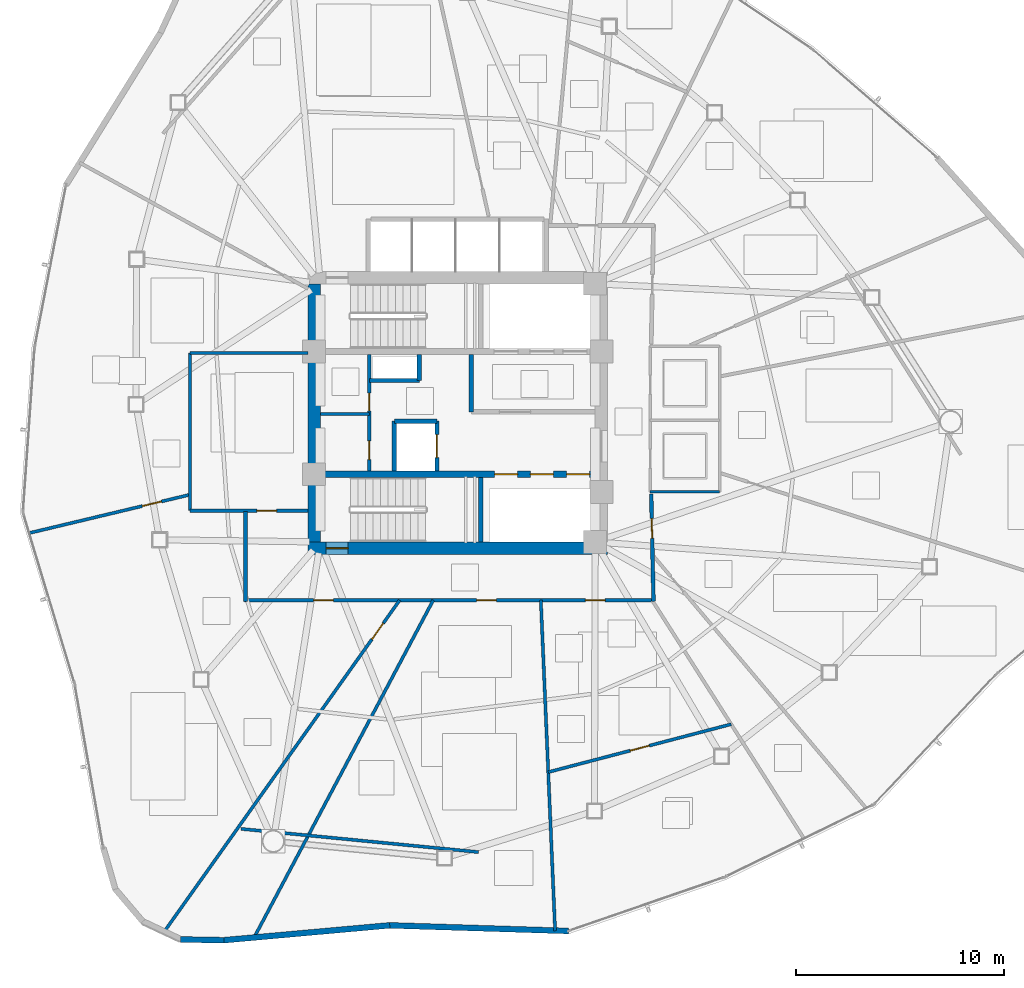
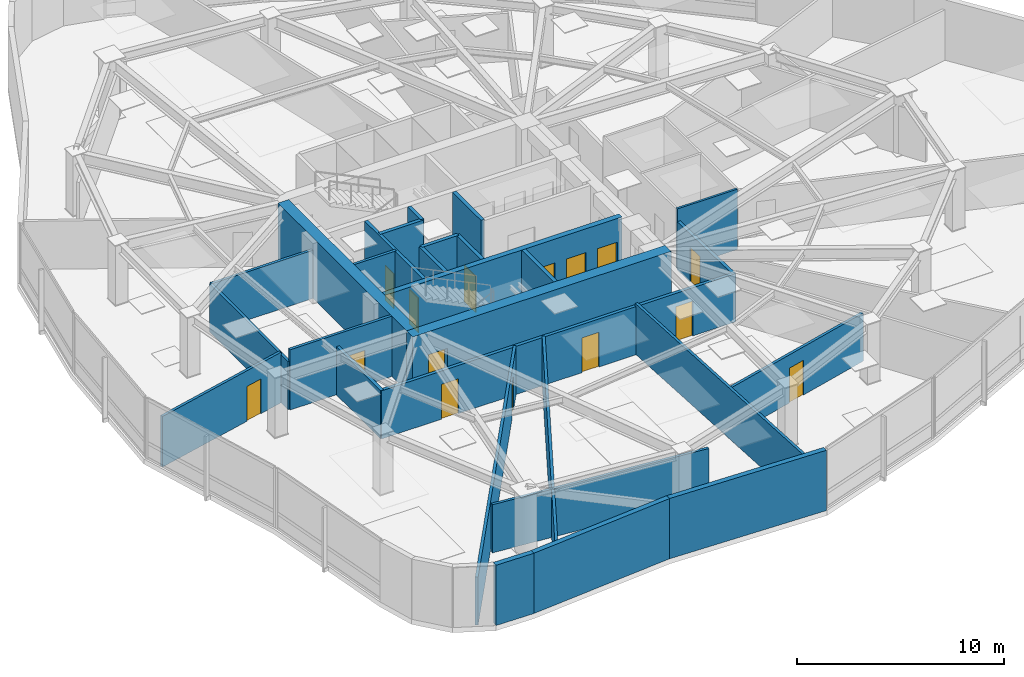
# One storey, part 11 of 17: 28 walls, 15 doors, 15 openings.
"""IFC4 building model written with IfcOpenShell, lengths in metres."""

from ifc_helpers import new_model, si_unit, direction, frame, frame_2d, origin, place, context, subcontext, project, spatial, rectangle, extrude, material, layer, layer_set, type_object, element, fill, save


model = new_model("IFC4")

# Units and contexts
model_context = context("Model", 3, precision=1e-05, world=origin(), true_north=direction((0.0, 1.0)))
body_context = subcontext(model_context, "Body", "Model", "MODEL_VIEW")
ifc_project = project(units=[si_unit("LENGTHUNIT", "METRE"), si_unit("AREAUNIT", "SQUARE_METRE"), si_unit("VOLUMEUNIT", "CUBIC_METRE"), si_unit("PLANEANGLEUNIT", "RADIAN"), si_unit("MASSUNIT", "GRAM", prefix="KILO")], contexts=[model_context])

# Site, building, storey
site_placement = place(None, origin())
site = spatial("IfcSite", under=ifc_project, at=site_placement, CompositionType="ELEMENT")
building_placement = place(site_placement, origin())
building = spatial("IfcBuilding", under=site, at=building_placement, Name="Tavelor Broadcast Tower", CompositionType="ELEMENT")
storey_placement = place(building_placement, frame((0.0, 0.0, 127.14990234375)))
storey = spatial("IfcBuildingStorey", under=building, at=storey_placement, Name="L29", CompositionType="ELEMENT", Elevation=127.14990234375)

# Wall, opening, door
ifc_material_1 = material(Name="Concrete C60/75", Category="concrete")
ifc_layer_1 = layer(ifc_material_1, 0.60009765625)
ifc_layer_set_1 = layer_set([ifc_layer_1], Name="Concrete C60/75")
wall_type_1 = type_object("IfcWallType", Name="Core Shear Wall 600 mm", PredefinedType="SHEAR", material=ifc_layer_set_1)
wall_1_placement = place(storey_placement, frame((42.800048828125, 38.5, 0.0), z_axis=(0.0, 0.0, 1.0), x_axis=(1.0, 0.0, 0.0)))
wall_1 = element("IfcWall", 1, at=wall_1_placement, inside=storey, type_object=wall_type_1, Name="L29 Central Core Shear Wall S", PredefinedType="SHEAR", context=body_context, shape_type="SweptSolid", body=[
    extrude(rectangle(XDim=14.39990234375, YDim=0.60009765625, at=frame_2d((7.199951171875, 0.0))), origin(), (0.0, 0.0, 1.0), 3.550048828125),
])
opening_1_placement = place(wall_1_placement, frame((0.8798828125, 0.0, 0.0)))
opening_1 = element("IfcOpeningElement", 2, at=opening_1_placement, cuts=wall_1, Name="Opening DR11", PredefinedType="OPENING", context=body_context, shape_type="SweptSolid", body=[
    extrude(rectangle(XDim=1.050048828125, YDim=2.199951171875, at=frame_2d((0.52490234375, 1.10009765625))), frame((0.0, 0.31005859375, 0.0), z_axis=(0.0, -1.0, 0.0), x_axis=(1.0, 0.0, 0.0)), (0.0, 0.0, 1.0), 0.6201171875),
])
ifc_material_2 = material(Name="Steel S355", Category="steel")
door_type_1 = type_object("IfcDoorType", Name="Stair Core Fire Escape Door 1050x2200", OperationType="NOTDEFINED", PredefinedType="DOOR", material=ifc_material_2)
door_1_placement = place(opening_1_placement, origin())
door_1 = element("IfcDoor", 3, at=door_1_placement, inside=storey, type_object=door_type_1, Name="L29 Stair ST2 Protected Exit Door", OperationType="SINGLE_SWING_RIGHT", OverallHeight=2.199951171875, OverallWidth=1.050048828125, PredefinedType="DOOR", context=body_context, shape_type="SweptSolid", body=[
    extrude(rectangle(XDim=1.050048828125, YDim=2.199951171875, at=frame_2d((0.52490234375, 1.10009765625))), frame((0.0, 0.02490234375, 0.0), z_axis=(0.0, -1.0, 0.0), x_axis=(1.0, 0.0, 0.0)), (0.0, 0.0, 1.0), 0.050048828125),
])
fill(opening_1, door_1)

# Wall
wall_2_placement = place(storey_placement, frame((43.10009765625, 38.800048828125, 0.0), z_axis=(0.0, 0.0, 1.0), x_axis=(0.0, 1.0, 0.0)))
element("IfcWall", 4, at=wall_2_placement, inside=storey, type_object=wall_type_1, Name="L29 Central Core Shear Wall W", PredefinedType="SHEAR", context=body_context, shape_type="SweptSolid", body=[
    extrude(rectangle(XDim=12.39990234375, YDim=0.60009765625, at=frame_2d((6.199951171875, 0.0))), origin(), (0.0, 0.0, 1.0), 3.550048828125),
])

# Wall, openings, doors
ifc_layer_2 = layer(ifc_material_1, 0.300048828125)
ifc_layer_set_2 = layer_set([ifc_layer_2], Name="Concrete C60/75")
wall_type_2 = type_object("IfcWallType", Name="Core Spine Shear Wall 300 mm C60", PredefinedType="SHEAR", material=ifc_layer_set_2)
wall_3_placement = place(storey_placement, frame((43.39990234375, 42.050048828125, 0.0), z_axis=(0.0, 0.0, 1.0), x_axis=(1.0, 0.0, 0.0)))
wall_3 = element("IfcWall", 5, at=wall_3_placement, inside=storey, type_object=wall_type_2, Name="L29 Central Core Shear Wall SP2", PredefinedType="SHEAR", context=body_context, shape_type="SweptSolid", body=[
    extrude(rectangle(XDim=13.2001953125, YDim=0.300048828125, at=frame_2d((6.60009765625, 0.0))), origin(), (0.0, 0.0, 1.0), 3.550048828125),
])
opening_2_placement = place(wall_3_placement, frame((8.3701171875, 0.0, 0.0)))
opening_2 = element("IfcOpeningElement", 6, at=opening_2_placement, cuts=wall_3, Name="Opening LD01", PredefinedType="OPENING", context=body_context, shape_type="SweptSolid", body=[
    extrude(rectangle(XDim=1.10009765625, YDim=2.14990234375, at=frame_2d((0.550048828125, 1.074951171875))), frame((0.0, 0.16015625, 0.0), z_axis=(0.0, -1.0, 0.0), x_axis=(1.0, 0.0, 0.0)), (0.0, 0.0, 1.0), 0.320068359375),
])
opening_3_placement = place(wall_3_placement, frame((10.090087890625, 0.0, 0.0)))
opening_3 = element("IfcOpeningElement", 7, at=opening_3_placement, cuts=wall_3, Name="Opening LD01", PredefinedType="OPENING", context=body_context, shape_type="SweptSolid", body=[
    extrude(rectangle(XDim=1.10009765625, YDim=2.14990234375, at=frame_2d((0.550048828125, 1.074951171875))), frame((0.0, 0.16015625, 0.0), z_axis=(0.0, -1.0, 0.0), x_axis=(1.0, 0.0, 0.0)), (0.0, 0.0, 1.0), 0.320068359375),
])
opening_4_placement = place(wall_3_placement, frame((11.830078125, 0.0, 0.0)))
opening_4 = element("IfcOpeningElement", 8, at=opening_4_placement, cuts=wall_3, Name="Opening LD01", PredefinedType="OPENING", context=body_context, shape_type="SweptSolid", body=[
    extrude(rectangle(XDim=1.10009765625, YDim=2.14990234375, at=frame_2d((0.550048828125, 1.074951171875))), frame((0.0, 0.16015625, 0.0), z_axis=(0.0, -1.0, 0.0), x_axis=(1.0, 0.0, 0.0)), (0.0, 0.0, 1.0), 0.320068359375),
])
ifc_material_3 = material(Name="Brushed Stainless Steel", Category="steel")
door_type_2 = type_object("IfcDoorType", Name="Passenger Lift Sliding Landing Door 1100x2150", OperationType="NOTDEFINED", PredefinedType="DOOR", material=ifc_material_3)
door_2_placement = place(opening_2_placement, origin())
door_2 = element("IfcDoor", 9, at=door_2_placement, inside=storey, type_object=door_type_2, Name="L29 Lift PLM1 Sliding Landing Door", OperationType="SLIDING_TO_LEFT", OverallHeight=2.14990234375, OverallWidth=1.10009765625, PredefinedType="DOOR", context=body_context, shape_type="SweptSolid", body=[
    extrude(rectangle(XDim=1.10009765625, YDim=2.14990234375, at=frame_2d((0.550048828125, 1.074951171875))), frame((0.0, 0.02490234375, 0.0), z_axis=(0.0, -1.0, 0.0), x_axis=(1.0, 0.0, 0.0)), (0.0, 0.0, 1.0), 0.050048828125),
])
fill(opening_2, door_2)
door_3_placement = place(opening_3_placement, origin())
door_3 = element("IfcDoor", 10, at=door_3_placement, inside=storey, type_object=door_type_2, Name="L29 Lift PLM2 Sliding Landing Door", OperationType="SLIDING_TO_LEFT", OverallHeight=2.14990234375, OverallWidth=1.10009765625, PredefinedType="DOOR", context=body_context, shape_type="SweptSolid", body=[
    extrude(rectangle(XDim=1.10009765625, YDim=2.14990234375, at=frame_2d((0.550048828125, 1.074951171875))), frame((0.0, 0.02490234375, 0.0), z_axis=(0.0, -1.0, 0.0), x_axis=(1.0, 0.0, 0.0)), (0.0, 0.0, 1.0), 0.050048828125),
])
fill(opening_3, door_3)
door_4_placement = place(opening_4_placement, origin())
door_4 = element("IfcDoor", 11, at=door_4_placement, inside=storey, type_object=door_type_2, Name="L29 Lift PLM3 Sliding Landing Door", OperationType="SLIDING_TO_LEFT", OverallHeight=2.14990234375, OverallWidth=1.10009765625, PredefinedType="DOOR", context=body_context, shape_type="SweptSolid", body=[
    extrude(rectangle(XDim=1.10009765625, YDim=2.14990234375, at=frame_2d((0.550048828125, 1.074951171875))), frame((0.0, 0.02490234375, 0.0), z_axis=(0.0, -1.0, 0.0), x_axis=(1.0, 0.0, 0.0)), (0.0, 0.0, 1.0), 0.050048828125),
])
fill(opening_4, door_4)

ifc_material_4 = material(Name="Calcium Silicate Fire Board 180 mm", Category="gypsum")
ifc_layer_3 = layer(ifc_material_4, 0.179931640625)
ifc_layer_set_3 = layer_set([ifc_layer_3], Name="Calcium Silicate Fire Board 180 mm")
wall_type_3 = type_object("IfcWallType", Name="Fire-Rated Corridor Partition Wall 180 mm", PredefinedType="PARTITIONING", material=ifc_layer_set_3)
wall_4_placement = place(storey_placement, frame((45.75, 42.199951171875, 0.0), z_axis=(0.0, 0.0, 1.0), x_axis=(0.0, 1.0, 0.0)))
wall_4 = element("IfcWall", 12, at=wall_4_placement, inside=storey, type_object=wall_type_3, Name="L29 Core West Service East Wall", PredefinedType="PARTITIONING", context=body_context, shape_type="SweptSolid", body=[
    extrude(rectangle(XDim=5.60009765625, YDim=0.179931640625, at=frame_2d((2.800048828125, 0.0))), origin(), (0.0, 0.0, 1.0), 3.550048828125),
])
opening_5_placement = place(wall_4_placement, frame((0.550048828125, 0.0, 0.0)))
opening_5 = element("IfcOpeningElement", 13, at=opening_5_placement, cuts=wall_4, Name="Opening DR32", PredefinedType="OPENING", context=body_context, shape_type="SweptSolid", body=[
    extrude(rectangle(XDim=0.89990234375, YDim=2.050048828125, at=frame_2d((0.449951171875, 1.02490234375))), frame((0.0, 0.10009765625, 0.0), z_axis=(0.0, -1.0, 0.0), x_axis=(1.0, 0.0, 0.0)), (0.0, 0.0, 1.0), 0.199951171875),
])
opening_6_placement = place(wall_4_placement, frame((2.89990234375, 0.0, 0.0)))
opening_6 = element("IfcOpeningElement", 14, at=opening_6_placement, cuts=wall_4, Name="Opening DR36", PredefinedType="OPENING", context=body_context, shape_type="SweptSolid", body=[
    extrude(rectangle(XDim=0.85009765625, YDim=2.050048828125, at=frame_2d((0.425048828125, 1.02490234375))), frame((0.0, 0.10009765625, 0.0), z_axis=(0.0, -1.0, 0.0), x_axis=(1.0, 0.0, 0.0)), (0.0, 0.0, 1.0), 0.199951171875),
])
ifc_material_5 = material(Name="Timber Solid Core Hardwood", Category="wood")
door_type_3 = type_object("IfcDoorType", Name="Accessible Washroom Door 900x2050", OperationType="NOTDEFINED", PredefinedType="DOOR", material=ifc_material_5)
door_5_placement = place(opening_5_placement, origin())
door_5 = element("IfcDoor", 15, at=door_5_placement, inside=storey, type_object=door_type_3, Name="L29 Core Accessible WC Door", OperationType="SINGLE_SWING_LEFT", OverallHeight=2.050048828125, OverallWidth=0.89990234375, PredefinedType="DOOR", context=body_context, shape_type="SweptSolid", body=[
    extrude(rectangle(XDim=0.89990234375, YDim=2.050048828125, at=frame_2d((0.449951171875, 1.02490234375))), frame((0.0, 0.02490234375, 0.0), z_axis=(0.0, -1.0, 0.0), x_axis=(1.0, 0.0, 0.0)), (0.0, 0.0, 1.0), 0.050048828125),
])
fill(opening_5, door_5)
door_type_4 = type_object("IfcDoorType", Name="Service Room Fire Door 850x2050", OperationType="NOTDEFINED", PredefinedType="DOOR", material=ifc_material_2)
door_6_placement = place(opening_6_placement, origin())
door_6 = element("IfcDoor", 16, at=door_6_placement, inside=storey, type_object=door_type_4, Name="L29 Core Cleaner Store Door", OperationType="SINGLE_SWING_RIGHT", OverallHeight=2.050048828125, OverallWidth=0.85009765625, PredefinedType="DOOR", context=body_context, shape_type="SweptSolid", body=[
    extrude(rectangle(XDim=0.85009765625, YDim=2.050048828125, at=frame_2d((0.425048828125, 1.02490234375))), frame((0.0, 0.02490234375, 0.0), z_axis=(0.0, -1.0, 0.0), x_axis=(1.0, 0.0, 0.0)), (0.0, 0.0, 1.0), 0.050048828125),
])
fill(opening_6, door_6)

# Wall, opening, door
wall_5_placement = place(storey_placement, frame((59.291015625, 41.10009765625, 0.0), z_axis=(0.0, 0.0, 1.0), x_axis=(0.021374589398, -0.999771537366, 0.0)))
wall_5 = element("IfcWall", 17, at=wall_5_placement, inside=storey, type_object=wall_type_3, Name="L29 Corridor Compartment Wall 03", PredefinedType="PARTITIONING", context=body_context, shape_type="SweptSolid", body=[
    extrude(rectangle(XDim=5.1513671875, YDim=0.179931640625, at=frame_2d((2.57568359375, 0.0))), origin(), (0.0, 0.0, 1.0), 2.835205078125),
])
opening_7_placement = place(wall_5_placement, frame((1.17529296875, 0.0, 0.0)))
opening_7 = element("IfcOpeningElement", 18, at=opening_7_placement, cuts=wall_5, Name="Opening DR18", PredefinedType="OPENING", context=body_context, shape_type="SweptSolid", body=[
    extrude(rectangle(XDim=0.949951171875, YDim=2.050048828125, at=frame_2d((0.47509765625, 1.02490234375))), frame((0.0, 0.10009765625, 0.0), z_axis=(0.0, -1.0, 0.0), x_axis=(1.0, 0.0, 0.0)), (0.0, 0.0, 1.0), 0.199951171875),
])
door_type_5 = type_object("IfcDoorType", Name="Corridor Rated Compartment Door 950x2050", OperationType="NOTDEFINED", PredefinedType="DOOR", material=ifc_material_5)
door_7_placement = place(opening_7_placement, origin())
door_7 = element("IfcDoor", 19, at=door_7_placement, inside=storey, type_object=door_type_5, Name="L29 International Bureau Office Door R0", OperationType="SINGLE_SWING_RIGHT", OverallHeight=2.050048828125, OverallWidth=0.949951171875, PredefinedType="DOOR", context=body_context, shape_type="SweptSolid", body=[
    extrude(rectangle(XDim=0.949951171875, YDim=2.050048828125, at=frame_2d((0.47509765625, 1.02490234375))), frame((0.0, 0.02490234375, 0.0), z_axis=(0.0, -1.0, 0.0), x_axis=(1.0, 0.0, 0.0)), (0.0, 0.0, 1.0), 0.050048828125),
])
fill(opening_7, door_7)

# Wall, openings, doors
wall_6_placement = place(storey_placement, frame((59.449951171875, 36.0, 0.0), z_axis=(0.0, 0.0, 1.0), x_axis=(-1.0, 0.0, 0.0)))
wall_6 = element("IfcWall", 20, at=wall_6_placement, inside=storey, type_object=wall_type_3, Name="L29 Corridor Compartment Wall 04", PredefinedType="PARTITIONING", context=body_context, shape_type="SweptSolid", body=[
    extrude(rectangle(XDim=19.699951171875, YDim=0.179931640625, at=frame_2d((9.85009765625, 0.0))), origin(), (0.0, 0.0, 1.0), 2.835205078125),
])
opening_8_placement = place(wall_6_placement, frame((2.37109375, 0.0, 0.0)))
opening_8 = element("IfcOpeningElement", 21, at=opening_8_placement, cuts=wall_6, Name="Opening DR18", PredefinedType="OPENING", context=body_context, shape_type="SweptSolid", body=[
    extrude(rectangle(XDim=0.949951171875, YDim=2.050048828125, at=frame_2d((0.47509765625, 1.02490234375))), frame((0.0, 0.10009765625, 0.0), z_axis=(0.0, -1.0, 0.0), x_axis=(1.0, 0.0, 0.0)), (0.0, 0.0, 1.0), 0.199951171875),
])
opening_9_placement = place(wall_6_placement, frame((7.59130859375, 0.0, 0.0)))
opening_9 = element("IfcOpeningElement", 22, at=opening_9_placement, cuts=wall_6, Name="Opening DR18", PredefinedType="OPENING", context=body_context, shape_type="SweptSolid", body=[
    extrude(rectangle(XDim=0.949951171875, YDim=2.050048828125, at=frame_2d((0.47509765625, 1.02490234375))), frame((0.0, 0.10009765625, 0.0), z_axis=(0.0, -1.0, 0.0), x_axis=(1.0, 0.0, 0.0)), (0.0, 0.0, 1.0), 0.199951171875),
])
opening_10_placement = place(wall_6_placement, frame((15.426513671875, 0.0, 0.0)))
opening_10 = element("IfcOpeningElement", 23, at=opening_10_placement, cuts=wall_6, Name="Opening DR18", PredefinedType="OPENING", context=body_context, shape_type="SweptSolid", body=[
    extrude(rectangle(XDim=0.949951171875, YDim=2.050048828125, at=frame_2d((0.47509765625, 1.02490234375))), frame((0.0, 0.10009765625, 0.0), z_axis=(0.0, -1.0, 0.0), x_axis=(1.0, 0.0, 0.0)), (0.0, 0.0, 1.0), 0.199951171875),
])
door_8_placement = place(opening_8_placement, origin())
door_8 = element("IfcDoor", 24, at=door_8_placement, inside=storey, type_object=door_type_5, Name="L29 Sound Foley Studio Door R13", OperationType="SINGLE_SWING_LEFT", OverallHeight=2.050048828125, OverallWidth=0.949951171875, PredefinedType="DOOR", context=body_context, shape_type="SweptSolid", body=[
    extrude(rectangle(XDim=0.949951171875, YDim=2.050048828125, at=frame_2d((0.47509765625, 1.02490234375))), frame((0.0, 0.02490234375, 0.0), z_axis=(0.0, -1.0, 0.0), x_axis=(1.0, 0.0, 0.0)), (0.0, 0.0, 1.0), 0.050048828125),
])
fill(opening_8, door_8)
door_9_placement = place(opening_9_placement, origin())
door_9 = element("IfcDoor", 25, at=door_9_placement, inside=storey, type_object=door_type_5, Name="L29 Broadcast Editorial Office Door R3", OperationType="SINGLE_SWING_RIGHT", OverallHeight=2.050048828125, OverallWidth=0.949951171875, PredefinedType="DOOR", context=body_context, shape_type="SweptSolid", body=[
    extrude(rectangle(XDim=0.949951171875, YDim=2.050048828125, at=frame_2d((0.47509765625, 1.02490234375))), frame((0.0, 0.02490234375, 0.0), z_axis=(0.0, -1.0, 0.0), x_axis=(1.0, 0.0, 0.0)), (0.0, 0.0, 1.0), 0.050048828125),
])
fill(opening_9, door_9)
door_10_placement = place(opening_10_placement, origin())
door_10 = element("IfcDoor", 26, at=door_10_placement, inside=storey, type_object=door_type_5, Name="L29 Syndication Legal Office Door R5", OperationType="SINGLE_SWING_LEFT", OverallHeight=2.050048828125, OverallWidth=0.949951171875, PredefinedType="DOOR", context=body_context, shape_type="SweptSolid", body=[
    extrude(rectangle(XDim=0.949951171875, YDim=2.050048828125, at=frame_2d((0.47509765625, 1.02490234375))), frame((0.0, 0.02490234375, 0.0), z_axis=(0.0, -1.0, 0.0), x_axis=(1.0, 0.0, 0.0)), (0.0, 0.0, 1.0), 0.050048828125),
])
fill(opening_10, door_10)

# Walls
wall_7_placement = place(storey_placement, frame((39.800048828125, 35.949951171875, 0.0), z_axis=(0.0, 0.0, 1.0), x_axis=(0.0, 1.0, 0.0)))
element("IfcWall", 27, at=wall_7_placement, inside=storey, type_object=wall_type_3, Name="L29 Corridor Compartment Wall 05", PredefinedType="PARTITIONING", context=body_context, shape_type="SweptSolid", body=[
    extrude(rectangle(XDim=4.300048828125, YDim=0.179931640625, at=frame_2d((2.14990234375, 0.0))), origin(), (0.0, 0.0, 1.0), 2.835205078125),
])
ifc_material_6 = material(Name="Precast Concrete C40/50", Category="concrete")
ifc_layer_4 = layer(ifc_material_6, 0.280029296875)
ifc_layer_set_4 = layer_set([ifc_layer_4], Name="Precast Concrete C40/50")
wall_type_4 = type_object("IfcWallType", Name="Insulated Precast Terracotta Facade Wall 280 mm", PredefinedType="STANDARD", material=ifc_layer_set_4)
wall_8_placement = place(storey_placement, frame((36.68798828125, 19.706787109375, 0.0), z_axis=(0.0, 0.0, 1.0), x_axis=(0.999829775202, -0.018450491063, 0.0)))
element("IfcWall", 28, at=wall_8_placement, inside=storey, type_object=wall_type_4, Name="L29 Rounded Corner Structural Cladding Pier 14", PredefinedType="STANDARD", context=body_context, shape_type="SweptSolid", body=[
    extrude(rectangle(XDim=2.090576171875, YDim=0.280029296875, at=frame_2d((1.04541015625, 0.0))), origin(), (0.0, 0.0, 1.0), 3.550048828125),
])
wall_9_placement = place(storey_placement, frame((38.748291015625, 19.667236328125, 0.0), z_axis=(0.0, 0.0, 1.0), x_axis=(0.996004258256, 0.089305753094, 0.0)))
element("IfcWall", 29, at=wall_9_placement, inside=storey, type_object=wall_type_4, Name="L29 Rounded Corner Structural Cladding Pier 15", PredefinedType="STANDARD", context=body_context, shape_type="SweptSolid", body=[
    extrude(rectangle(XDim=8.01806640625, YDim=0.280029296875, at=frame_2d((4.009033203125, 0.0))), origin(), (0.0, 0.0, 1.0), 3.550048828125),
])
wall_10_placement = place(storey_placement, frame((46.704345703125, 20.382568359375, 0.0), z_axis=(0.0, 0.0, 1.0), x_axis=(0.999511053197, -0.031267467704, 0.0)))
element("IfcWall", 30, at=wall_10_placement, inside=storey, type_object=wall_type_4, Name="L29 Rounded Corner Structural Cladding Pier 16", PredefinedType="STANDARD", context=body_context, shape_type="SweptSolid", body=[
    extrude(rectangle(XDim=8.6201171875, YDim=0.280029296875, at=frame_2d((4.31005859375, 0.0))), origin(), (0.0, 0.0, 1.0), 3.550048828125),
])
ifc_material_7 = material(Name="Gypsum Acoustic Plasterboard 150 mm", Category="gypsum")
ifc_layer_5 = layer(ifc_material_7, 0.14990234375)
ifc_layer_set_5 = layer_set([ifc_layer_5], Name="Gypsum Acoustic Plasterboard 150 mm")
wall_type_5 = type_object("IfcWallType", Name="Interior Acoustic Partition Wall 150 mm", PredefinedType="PARTITIONING", material=ifc_layer_set_5)
wall_11_placement = place(storey_placement, frame((43.39990234375, 44.949951171875, 0.0), z_axis=(0.0, 0.0, 1.0), x_axis=(1.0, 0.0, 0.0)))
element("IfcWall", 31, at=wall_11_placement, inside=storey, type_object=wall_type_5, Name="L29 Core Split Wall A", PredefinedType="PARTITIONING", context=body_context, shape_type="SweptSolid", body=[
    extrude(rectangle(XDim=2.35009765625, YDim=0.14990234375, at=frame_2d((1.175048828125, 0.0))), origin(), (0.0, 0.0, 1.0), 3.550048828125),
])
wall_12_placement = place(storey_placement, frame((39.589111328125, 25.017578125, 0.0), z_axis=(0.0, 0.0, 1.0), x_axis=(0.99524905582, -0.097361783517, 0.0)))
element("IfcWall", 32, at=wall_12_placement, inside=storey, type_object=wall_type_5, Name="L29 Corner Tube Brace Furring Wall 2", PredefinedType="PARTITIONING", context=body_context, shape_type="SweptSolid", body=[
    extrude(rectangle(XDim=11.467041015625, YDim=0.14990234375, at=frame_2d((5.7333984375, 0.0))), origin(), (0.0, 0.0, 1.0), 2.835205078125),
])

# Wall, opening, door
wall_13_placement = place(storey_placement, frame((37.139892578125, 40.300048828125, 0.0), z_axis=(0.0, 0.0, 1.0), x_axis=(1.0, 0.0, 0.0)))
wall_13 = element("IfcWall", 33, at=wall_13_placement, inside=storey, type_object=wall_type_5, Name="L29 Reclaimed Shaft Pantry South Wall", PredefinedType="PARTITIONING", context=body_context, shape_type="SweptSolid", body=[
    extrude(rectangle(XDim=5.66015625, YDim=0.14990234375, at=frame_2d((2.830078125, 0.0))), origin(), (0.0, 0.0, 1.0), 3.550048828125),
])
opening_11_placement = place(wall_13_placement, frame((3.2099609375, 0.0, 0.0)))
opening_11 = element("IfcOpeningElement", 34, at=opening_11_placement, cuts=wall_13, Name="Opening DR18", PredefinedType="OPENING", context=body_context, shape_type="SweptSolid", body=[
    extrude(rectangle(XDim=0.949951171875, YDim=2.050048828125, at=frame_2d((0.47509765625, 1.02490234375))), frame((0.0, 0.0849609375, 0.0), z_axis=(0.0, -1.0, 0.0), x_axis=(1.0, 0.0, 0.0)), (0.0, 0.0, 1.0), 0.169921875),
])
door_11_placement = place(opening_11_placement, origin())
door_11 = element("IfcDoor", 35, at=door_11_placement, inside=storey, type_object=door_type_5, Name="L29 Broadcast IT Patch and Pantry Door", OperationType="SINGLE_SWING_LEFT", OverallHeight=2.050048828125, OverallWidth=0.949951171875, PredefinedType="DOOR", context=body_context, shape_type="SweptSolid", body=[
    extrude(rectangle(XDim=0.949951171875, YDim=2.050048828125, at=frame_2d((0.47509765625, 1.02490234375))), frame((0.0, 0.02490234375, 0.0), z_axis=(0.0, -1.0, 0.0), x_axis=(1.0, 0.0, 0.0)), (0.0, 0.0, 1.0), 0.050048828125),
])
fill(opening_11, door_11)

# Walls
wall_14_placement = place(storey_placement, frame((37.139892578125, 40.300048828125, 0.0), z_axis=(0.0, 0.0, 1.0), x_axis=(0.0, 1.0, 0.0)))
element("IfcWall", 36, at=wall_14_placement, inside=storey, type_object=wall_type_5, Name="L29 Reclaimed Shaft Pantry West Wall", PredefinedType="PARTITIONING", context=body_context, shape_type="SweptSolid", body=[
    extrude(rectangle(XDim=7.579833984375, YDim=0.14990234375, at=frame_2d((3.7900390625, 0.0))), origin(), (0.0, 0.0, 1.0), 2.835205078125),
])
wall_15_placement = place(storey_placement, frame((37.139892578125, 47.8798828125, 0.0), z_axis=(0.0, 0.0, 1.0), x_axis=(1.0, 0.0, 0.0)))
element("IfcWall", 37, at=wall_15_placement, inside=storey, type_object=wall_type_5, Name="L29 Reclaimed Shaft Pantry North Wall", PredefinedType="PARTITIONING", context=body_context, shape_type="SweptSolid", body=[
    extrude(rectangle(XDim=5.66015625, YDim=0.14990234375, at=frame_2d((2.830078125, 0.0))), origin(), (0.0, 0.0, 1.0), 2.835205078125),
])

# Wall, opening, door
wall_16_placement = place(storey_placement, frame((37.080078125, 41.055419921875, 0.0), z_axis=(0.0, 0.0, 1.0), x_axis=(-0.972658265099, -0.232241037146, 0.0)))
wall_16 = element("IfcWall", 38, at=wall_16_placement, inside=storey, type_object=wall_type_5, Name="L29 Radial Compartment Wall 10", PredefinedType="PARTITIONING", context=body_context, shape_type="SweptSolid", body=[
    extrude(rectangle(XDim=7.8896484375, YDim=0.14990234375, at=frame_2d((3.94482421875, 0.0))), origin(), (0.0, 0.0, 1.0), 2.97509765625),
])
opening_12_placement = place(wall_16_placement, frame((1.35009765625, 0.0, 0.0)))
opening_12 = element("IfcOpeningElement", 39, at=opening_12_placement, cuts=wall_16, Name="Opening DR18", PredefinedType="OPENING", context=body_context, shape_type="SweptSolid", body=[
    extrude(rectangle(XDim=0.949951171875, YDim=2.050048828125, at=frame_2d((0.47509765625, 1.02490234375))), frame((0.0, 0.0849609375, 0.0), z_axis=(0.0, -1.0, 0.0), x_axis=(1.0, 0.0, 0.0)), (0.0, 0.0, 1.0), 0.169921875),
])
door_12_placement = place(opening_12_placement, origin())
door_12 = element("IfcDoor", 40, at=door_12_placement, inside=storey, type_object=door_type_5, Name="L29 Suite Connecting Door 6", OperationType="SINGLE_SWING_RIGHT", OverallHeight=2.050048828125, OverallWidth=0.949951171875, PredefinedType="DOOR", context=body_context, shape_type="SweptSolid", body=[
    extrude(rectangle(XDim=0.949951171875, YDim=2.050048828125, at=frame_2d((0.47509765625, 1.02490234375))), frame((0.0, 0.02490234375, 0.0), z_axis=(0.0, -1.0, 0.0), x_axis=(1.0, 0.0, 0.0)), (0.0, 0.0, 1.0), 0.050048828125),
])
fill(opening_12, door_12)

wall_17_placement = place(storey_placement, frame((47.20703125, 36.0, 0.0), z_axis=(0.0, 0.0, 1.0), x_axis=(-0.579100670618, -0.815256041554, 0.0)))
wall_17 = element("IfcWall", 41, at=wall_17_placement, inside=storey, type_object=wall_type_5, Name="L29 Radial Compartment Wall 11", PredefinedType="PARTITIONING", context=body_context, shape_type="SweptSolid", body=[
    extrude(rectangle(XDim=19.53076171875, YDim=0.14990234375, at=frame_2d((9.765380859375, 0.0))), origin(), (0.0, 0.0, 1.0), 2.835205078125),
])
opening_13_placement = place(wall_17_placement, frame((1.35009765625, 0.0, 0.0)))
opening_13 = element("IfcOpeningElement", 42, at=opening_13_placement, cuts=wall_17, Name="Opening DR18", PredefinedType="OPENING", context=body_context, shape_type="SweptSolid", body=[
    extrude(rectangle(XDim=0.949951171875, YDim=2.050048828125, at=frame_2d((0.47509765625, 1.02490234375))), frame((0.0, 0.0849609375, 0.0), z_axis=(0.0, -1.0, 0.0), x_axis=(1.0, 0.0, 0.0)), (0.0, 0.0, 1.0), 0.169921875),
])
door_13_placement = place(opening_13_placement, origin())
door_13 = element("IfcDoor", 43, at=door_13_placement, inside=storey, type_object=door_type_5, Name="L29 Suite Connecting Door 4", OperationType="SINGLE_SWING_LEFT", OverallHeight=2.050048828125, OverallWidth=0.949951171875, PredefinedType="DOOR", context=body_context, shape_type="SweptSolid", body=[
    extrude(rectangle(XDim=0.949951171875, YDim=2.050048828125, at=frame_2d((0.47509765625, 1.02490234375))), frame((0.0, 0.02490234375, 0.0), z_axis=(0.0, -1.0, 0.0), x_axis=(1.0, 0.0, 0.0)), (0.0, 0.0, 1.0), 0.050048828125),
])
fill(opening_13, door_13)

# Walls
wall_18_placement = place(storey_placement, frame((48.820556640625, 36.0, 0.0), z_axis=(0.0, 0.0, 1.0), x_axis=(-0.469014212792, -0.883190618269, 0.0)))
element("IfcWall", 44, at=wall_18_placement, inside=storey, type_object=wall_type_5, Name="L29 Radial Compartment Wall 12", PredefinedType="PARTITIONING", context=body_context, shape_type="SweptSolid", body=[
    extrude(rectangle(XDim=18.355712890625, YDim=0.14990234375, at=frame_2d((9.177734375, 0.0))), origin(), (0.0, 0.0, 1.0), 2.835205078125),
])
wall_19_placement = place(storey_placement, frame((53.989013671875, 36.0, 0.0), z_axis=(0.0, 0.0, 1.0), x_axis=(0.043169878473, -0.999067746248, 0.0)))
element("IfcWall", 45, at=wall_19_placement, inside=storey, type_object=wall_type_5, Name="L29 Radial Compartment Wall 13", PredefinedType="PARTITIONING", context=body_context, shape_type="SweptSolid", body=[
    extrude(rectangle(XDim=15.8916015625, YDim=0.14990234375, at=frame_2d((7.94580078125, 0.0))), origin(), (0.0, 0.0, 1.0), 2.97509765625),
])

# Wall, opening, door
wall_20_placement = place(storey_placement, frame((54.345703125, 27.744140625, 0.0), z_axis=(0.0, 0.0, 1.0), x_axis=(0.967405326055, 0.2532329661, 0.0)))
wall_20 = element("IfcWall", 46, at=wall_20_placement, inside=storey, type_object=wall_type_5, Name="L29 Suite Chord Partition Wall 01", PredefinedType="PARTITIONING", context=body_context, shape_type="SweptSolid", body=[
    extrude(rectangle(XDim=9.078857421875, YDim=0.14990234375, at=frame_2d((4.53955078125, 0.0))), origin(), (0.0, 0.0, 1.0), 2.835205078125),
])
opening_14_placement = place(wall_20_placement, frame((4.064453125, 0.0, 0.0)))
opening_14 = element("IfcOpeningElement", 47, at=opening_14_placement, cuts=wall_20, Name="Opening DR23", PredefinedType="OPENING", context=body_context, shape_type="SweptSolid", body=[
    extrude(rectangle(XDim=0.949951171875, YDim=2.050048828125, at=frame_2d((0.47509765625, 1.02490234375))), frame((0.0, 0.0849609375, 0.0), z_axis=(0.0, -1.0, 0.0), x_axis=(1.0, 0.0, 0.0)), (0.0, 0.0, 1.0), 0.169921875),
])
door_type_6 = type_object("IfcDoorType", Name="Editorial Room Acoustic Door 950x2050", OperationType="NOTDEFINED", PredefinedType="DOOR", material=ifc_material_5)
door_14_placement = place(opening_14_placement, origin())
door_14 = element("IfcDoor", 48, at=door_14_placement, inside=storey, type_object=door_type_6, Name="L29 Outer Suite Partition Door 1", OperationType="SINGLE_SWING_RIGHT", OverallHeight=2.050048828125, OverallWidth=0.949951171875, PredefinedType="DOOR", context=body_context, shape_type="SweptSolid", body=[
    extrude(rectangle(XDim=0.949951171875, YDim=2.050048828125, at=frame_2d((0.47509765625, 1.02490234375))), frame((0.0, 0.02490234375, 0.0), z_axis=(0.0, -1.0, 0.0), x_axis=(1.0, 0.0, 0.0)), (0.0, 0.0, 1.0), 0.050048828125),
])
fill(opening_14, door_14)

ifc_material_8 = material(Name="Concrete Blockwork 200 mm", Category="masonry")
ifc_layer_6 = layer(ifc_material_8, 0.199951171875)
ifc_layer_set_6 = layer_set([ifc_layer_6], Name="Concrete Blockwork 200 mm")
wall_type_6 = type_object("IfcWallType", Name="Lift Hoistway Rated Front Wall 200 mm", PredefinedType="PARTITIONING", material=ifc_layer_set_6)
wall_21_placement = place(storey_placement, frame((49.0, 42.199951171875, 0.0), z_axis=(0.0, 0.0, 1.0), x_axis=(0.0, 1.0, 0.0)))
wall_21 = element("IfcWall", 49, at=wall_21_placement, inside=storey, type_object=wall_type_6, Name="L29 Mid-Rise Lift PLM4 Hoistway Front Wall", PredefinedType="PARTITIONING", context=body_context, shape_type="SweptSolid", body=[
    extrude(rectangle(XDim=2.400146484375, YDim=0.199951171875, at=frame_2d((1.2001953125, 0.0))), origin(), (0.0, 0.0, 1.0), 3.550048828125),
])
opening_15_placement = place(wall_21_placement, frame((0.64990234375, 0.0, 0.0)))
opening_15 = element("IfcOpeningElement", 50, at=opening_15_placement, cuts=wall_21, Name="Opening LD01", PredefinedType="OPENING", context=body_context, shape_type="SweptSolid", body=[
    extrude(rectangle(XDim=1.10009765625, YDim=2.14990234375, at=frame_2d((0.550048828125, 1.074951171875))), frame((0.0, 0.10986328125, 0.0), z_axis=(0.0, -1.0, 0.0), x_axis=(1.0, 0.0, 0.0)), (0.0, 0.0, 1.0), 0.219970703125),
])
door_15_placement = place(opening_15_placement, origin())
door_15 = element("IfcDoor", 51, at=door_15_placement, inside=storey, type_object=door_type_2, Name="L29 Lift PLM4 Sliding Landing Door", OperationType="SLIDING_TO_RIGHT", OverallHeight=2.14990234375, OverallWidth=1.10009765625, PredefinedType="DOOR", context=body_context, shape_type="SweptSolid", body=[
    extrude(rectangle(XDim=1.10009765625, YDim=2.14990234375, at=frame_2d((0.550048828125, 1.074951171875))), frame((0.0, 0.02490234375, 0.0), z_axis=(0.0, -1.0, 0.0), x_axis=(1.0, 0.0, 0.0)), (0.0, 0.0, 1.0), 0.050048828125),
])
fill(opening_15, door_15)

# Walls
ifc_layer_7 = layer(ifc_material_8, 0.199951171875)
ifc_layer_set_7 = layer_set([ifc_layer_7], Name="Concrete Blockwork 200 mm")
wall_type_7 = type_object("IfcWallType", Name="Lift and Riser Shaft Enclosure Wall 200 mm", PredefinedType="PARTITIONING", material=ifc_layer_set_7)
wall_22_placement = place(storey_placement, frame((45.75, 46.550048828125, 0.0), z_axis=(0.0, 0.0, 1.0), x_axis=(1.0, 0.0, 0.0)))
element("IfcWall", 52, at=wall_22_placement, inside=storey, type_object=wall_type_7, Name="L29 Riser Shaft South Wall", PredefinedType="PARTITIONING", context=body_context, shape_type="SweptSolid", body=[
    extrude(rectangle(XDim=2.39990234375, YDim=0.199951171875, at=frame_2d((1.199951171875, 0.0))), origin(), (0.0, 0.0, 1.0), 3.550048828125),
])
wall_23_placement = place(storey_placement, frame((48.14990234375, 46.550048828125, 0.0), z_axis=(0.0, 0.0, 1.0), x_axis=(0.0, 1.0, 0.0)))
element("IfcWall", 53, at=wall_23_placement, inside=storey, type_object=wall_type_7, Name="L29 Riser Shaft East Wall", PredefinedType="PARTITIONING", context=body_context, shape_type="SweptSolid", body=[
    extrude(rectangle(XDim=1.25, YDim=0.199951171875, at=frame_2d((0.625, 0.0))), origin(), (0.0, 0.0, 1.0), 3.550048828125),
])
wall_24_placement = place(storey_placement, frame((46.949951171875, 42.199951171875, 0.0), z_axis=(0.0, 0.0, 1.0), x_axis=(0.0, 1.0, 0.0)))
element("IfcWall", 54, at=wall_24_placement, inside=storey, type_object=wall_type_7, Name="L29 Mid-Rise Lift PLM4 West Wall", PredefinedType="PARTITIONING", context=body_context, shape_type="SweptSolid", body=[
    extrude(rectangle(XDim=2.400146484375, YDim=0.199951171875, at=frame_2d((1.2001953125, 0.0))), origin(), (0.0, 0.0, 1.0), 3.550048828125),
])
wall_25_placement = place(storey_placement, frame((46.949951171875, 44.60009765625, 0.0), z_axis=(0.0, 0.0, 1.0), x_axis=(1.0, 0.0, 0.0)))
element("IfcWall", 55, at=wall_25_placement, inside=storey, type_object=wall_type_7, Name="L29 Mid-Rise Lift PLM4 North Wall", PredefinedType="PARTITIONING", context=body_context, shape_type="SweptSolid", body=[
    extrude(rectangle(XDim=2.050048828125, YDim=0.199951171875, at=frame_2d((1.02490234375, 0.0))), origin(), (0.0, 0.0, 1.0), 3.550048828125),
])
wall_26_placement = place(storey_placement, frame((50.64990234375, 45.050048828125, 0.0), z_axis=(0.0, 0.0, 1.0), x_axis=(0.0, 1.0, 0.0)))
element("IfcWall", 56, at=wall_26_placement, inside=storey, type_object=wall_type_7, Name="L29 Firefighting Lobby West Wall", PredefinedType="PARTITIONING", context=body_context, shape_type="SweptSolid", body=[
    extrude(rectangle(XDim=2.75, YDim=0.199951171875, at=frame_2d((1.375, 0.0))), origin(), (0.0, 0.0, 1.0), 3.550048828125),
])
ifc_material_9 = material(Name="Moisture-Resistant Plasterboard 120 mm", Category="gypsum")
ifc_layer_8 = layer(ifc_material_9, 0.1201171875)
ifc_layer_set_8 = layer_set([ifc_layer_8], Name="Moisture-Resistant Plasterboard 120 mm")
wall_type_8 = type_object("IfcWallType", Name="Moisture-Resistant Wet-Room Partition 120 mm", PredefinedType="PARTITIONING", material=ifc_layer_set_8)
wall_27_placement = place(storey_placement, frame((59.239990234375, 41.199951171875, 0.0), z_axis=(0.0, 0.0, 1.0), x_axis=(1.0, 0.0, 0.0)))
element("IfcWall", 57, at=wall_27_placement, inside=storey, type_object=wall_type_8, Name="L29 Floor Washrooms South Wall", PredefinedType="PARTITIONING", context=body_context, shape_type="SweptSolid", body=[
    extrude(rectangle(XDim=3.340087890625, YDim=0.1201171875, at=frame_2d((1.669921875, 0.0))), origin(), (0.0, 0.0, 1.0), 3.550048828125),
])
ifc_material_10 = material(Name="Concrete C40/50", Category="concrete")
ifc_layer_9 = layer(ifc_material_10, 0.219970703125)
ifc_layer_set_9 = layer_set([ifc_layer_9], Name="Concrete C40/50")
wall_type_9 = type_object("IfcWallType", Name="Structural Stairwell Shear Wall 220 mm", PredefinedType="SHEAR", material=ifc_layer_set_9)
wall_28_placement = place(storey_placement, frame((51.110107421875, 38.800048828125, 0.0), z_axis=(0.0, 0.0, 1.0), x_axis=(0.0, 1.0, 0.0)))
element("IfcWall", 58, at=wall_28_placement, inside=storey, type_object=wall_type_9, Name="L29 Stair ST2 Structural Shaft Wall", PredefinedType="SHEAR", context=body_context, shape_type="SweptSolid", body=[
    extrude(rectangle(XDim=3.099853515625, YDim=0.219970703125, at=frame_2d((1.5498046875, 0.0))), origin(), (0.0, 0.0, 1.0), 3.550048828125),
])

save(model, "model.ifc")
